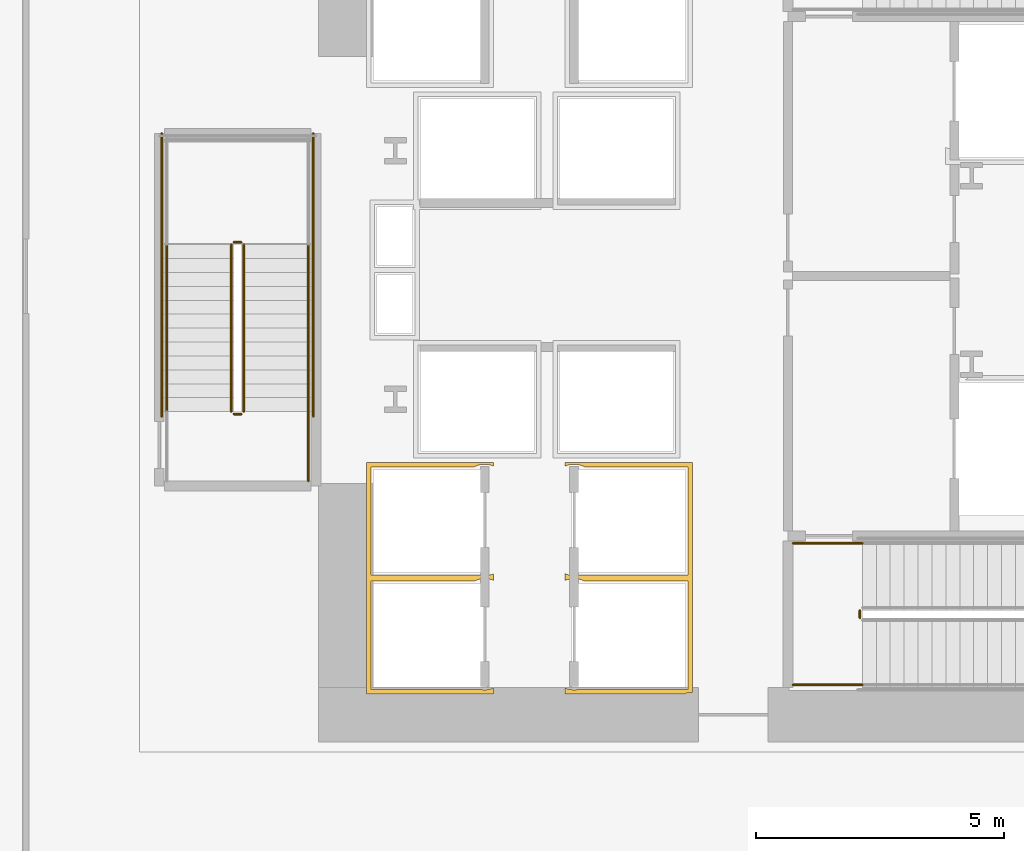
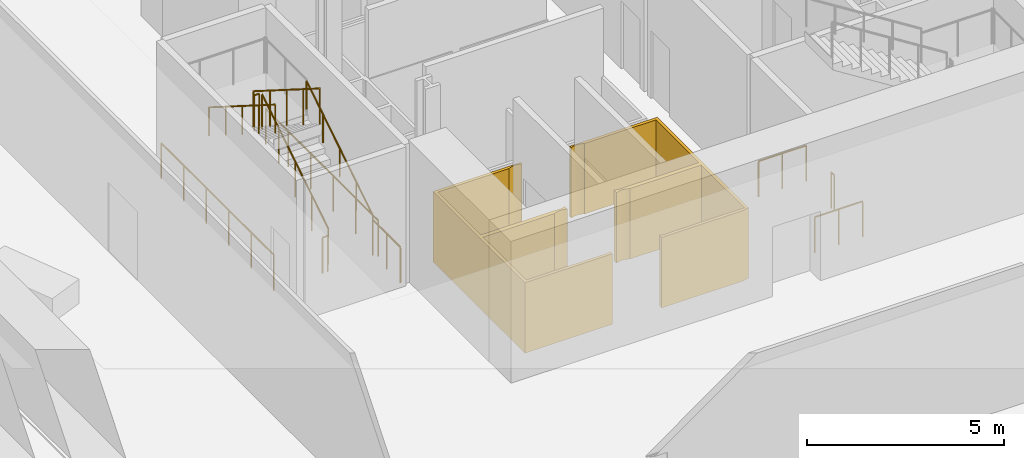
# One storey, part 17 of 24: 12 railings, 2 coverings.
"""IFC4 building model written with IfcOpenShell, lengths in metres."""

from ifc_helpers import new_model, si_unit, direction, frame, origin, origin_2d, place, context, subcontext, project, spatial, polyline, circle, outline, extrude, material, layer, layer_set, type_object, element, save


model = new_model("IFC4")

# Units and contexts
model_context = context("Model", 3, precision=1e-05, world=origin(), true_north=direction((0.0, 1.0)))
body_context = subcontext(model_context, "Body", "Model", "MODEL_VIEW")
ifc_project = project(units=[si_unit("LENGTHUNIT", "METRE"), si_unit("AREAUNIT", "SQUARE_METRE"), si_unit("VOLUMEUNIT", "CUBIC_METRE"), si_unit("PLANEANGLEUNIT", "RADIAN"), si_unit("MASSUNIT", "GRAM", prefix="KILO")], contexts=[model_context])

# Site, building, storey
site_placement = place(None, origin())
site = spatial("IfcSite", under=ifc_project, at=site_placement, CompositionType="ELEMENT")
building_placement = place(site_placement, origin())
building = spatial("IfcBuilding", under=site, at=building_placement, Name="Valkerne Bourse Tower", CompositionType="ELEMENT")
storey_placement = place(building_placement, frame((0.0, 0.0, 19.39990234375)))
storey = spatial("IfcBuildingStorey", under=building, at=storey_placement, Name="L04", CompositionType="ELEMENT", Elevation=19.39990234375)

# Coverings
ifc_material_1 = material(Name="Gypsum Shaftwall Liner Board", Category="gypsum")
ifc_layer = layer(ifc_material_1, 0.080078125)
ifc_layer_set = layer_set([ifc_layer], Name="Gypsum Shaftwall Liner Board")
covering_type = type_object("IfcCoveringType", Name="COV-SHF-CLAD", PredefinedType="CLADDING", material=ifc_layer_set)
covering_1_placement = place(storey_placement, origin())
element("IfcCovering", 1, at=covering_1_placement, inside=storey, type_object=covering_type, Name="L04 Hoistway & Riser Shaftwall Liner 01", PredefinedType="CLADDING", context=body_context, shape_type="SweptSolid", body=[
    extrude(outline(polyline([(38.169921875, 23.1298828125), (40.72998046875, 23.1298828125), (40.72998046875, 23.052001953125), (40.72216796875, 23.0556640625), (40.6806640625, 23.070556640625), (40.6376953125, 23.081298828125), (40.593994140625, 23.087890625), (40.550048828125, 23.090087890625), (40.505859375, 23.087890625), (40.462158203125, 23.081298828125), (40.41943359375, 23.070556640625), (40.377685546875, 23.0556640625), (40.344482421875, 23.0400390625), (38.260009765625, 23.0400390625), (38.260009765625, 20.860107421875), (40.456787109375, 20.860107421875), (40.462158203125, 20.858642578125), (40.505859375, 20.852294921875), (40.550048828125, 20.85009765625), (40.593994140625, 20.852294921875), (40.6376953125, 20.858642578125), (40.6806640625, 20.869384765625), (40.72216796875, 20.88427734375), (40.72998046875, 20.887939453125), (40.72998046875, 20.830078125), (40.72998046875, 20.77001953125), (40.72998046875, 20.752197265625), (40.72216796875, 20.755615234375), (40.6806640625, 20.7705078125), (40.6376953125, 20.781494140625), (40.593994140625, 20.787841796875), (40.550048828125, 20.7900390625), (40.505859375, 20.787841796875), (40.462158203125, 20.781494140625), (40.41943359375, 20.7705078125), (40.377685546875, 20.755615234375), (40.344482421875, 20.739990234375), (38.260009765625, 20.739990234375), (38.260009765625, 18.56005859375), (40.456787109375, 18.56005859375), (40.462158203125, 18.55859375), (40.505859375, 18.55224609375), (40.550048828125, 18.550048828125), (40.593994140625, 18.55224609375), (40.6376953125, 18.55859375), (40.6806640625, 18.5693359375), (40.72216796875, 18.584228515625), (40.72998046875, 18.587890625), (40.72998046875, 18.469970703125), (38.169921875, 18.469970703125), (38.169921875, 20.77001953125), (38.169921875, 20.830078125), (38.169921875, 23.1298828125)])), origin(), (0.0, 0.0, 1.0), 2.18017578125),
])
covering_2_placement = place(storey_placement, origin())
element("IfcCovering", 2, at=covering_2_placement, inside=storey, type_object=covering_type, Name="L04 Hoistway & Riser Shaftwall Liner 06", PredefinedType="CLADDING", context=body_context, shape_type="SweptSolid", body=[
    extrude(outline(polyline([(42.169921875, 20.887939453125), (42.177734375, 20.88427734375), (42.219482421875, 20.869384765625), (42.26220703125, 20.858642578125), (42.305908203125, 20.852294921875), (42.35009765625, 20.85009765625), (42.39404296875, 20.852294921875), (42.437744140625, 20.858642578125), (42.443115234375, 20.860107421875), (44.639892578125, 20.860107421875), (44.639892578125, 23.0400390625), (42.555419921875, 23.0400390625), (42.522216796875, 23.0556640625), (42.480712890625, 23.070556640625), (42.437744140625, 23.081298828125), (42.39404296875, 23.087890625), (42.35009765625, 23.090087890625), (42.305908203125, 23.087890625), (42.26220703125, 23.081298828125), (42.219482421875, 23.070556640625), (42.177734375, 23.0556640625), (42.169921875, 23.052001953125), (42.169921875, 23.1298828125), (44.72998046875, 23.1298828125), (44.72998046875, 20.830078125), (44.72998046875, 20.77001953125), (44.72998046875, 18.5), (44.685791015625, 18.497802734375), (44.64208984375, 18.491455078125), (44.599365234375, 18.480712890625), (44.569580078125, 18.469970703125), (42.169921875, 18.469970703125), (42.169921875, 18.587890625), (42.177734375, 18.584228515625), (42.219482421875, 18.5693359375), (42.26220703125, 18.55859375), (42.305908203125, 18.55224609375), (42.35009765625, 18.550048828125), (42.39404296875, 18.55224609375), (42.437744140625, 18.55859375), (42.443115234375, 18.56005859375), (44.639892578125, 18.56005859375), (44.639892578125, 20.739990234375), (42.555419921875, 20.739990234375), (42.522216796875, 20.755615234375), (42.480712890625, 20.7705078125), (42.437744140625, 20.781494140625), (42.39404296875, 20.787841796875), (42.35009765625, 20.7900390625), (42.305908203125, 20.787841796875), (42.26220703125, 20.781494140625), (42.219482421875, 20.7705078125), (42.177734375, 20.755615234375), (42.169921875, 20.752197265625), (42.169921875, 20.77001953125), (42.169921875, 20.830078125), (42.169921875, 20.887939453125)])), origin(), (0.0, 0.0, 1.0), 2.18017578125),
])

# Railings
ifc_material_2 = material(Name="Galvanised Painted Steel", Category="steel")
railing_type_1 = type_object("IfcRailingType", Name="RLG-ST-GUARD-1120", PredefinedType="GUARDRAIL", material=ifc_material_2)
railing_1_placement = place(storey_placement, frame((48.10009765625, 20.0, 0.0)))
element("IfcRailing", 3, at=railing_1_placement, inside=storey, type_object=railing_type_1, Name="L04 ST-1 stair guard 7", PredefinedType="GUARDRAIL", context=body_context, shape_type="SweptSolid", body=[
    extrude(circle(Radius=0.02392578125, at=origin_2d()), frame((0.0, 0.0, 1.09619140625), z_axis=(0.0, 1.0, 0.0), x_axis=(-1.0, 0.0, 0.0)), (0.0, 0.0, 1.0), 0.14990234375),
    extrude(circle(Radius=0.02099609375, at=origin_2d()), origin(), (0.0, 0.0, 1.0), 1.072021484375),
    extrude(circle(Radius=0.02099609375, at=origin_2d()), frame((0.0, 0.14990234375, 0.0)), (0.0, 0.0, 1.0), 1.072021484375),
])
for number, where, name in (
    (4, (46.75, 18.64990234375, 0.0), "L04 ST-1 stair guard 8"),
    (5, (46.75, 21.5, 0.0), "L04 ST-1 stair guard 9"),
):
    element("IfcRailing", number, at=place(storey_placement, frame(where)), inside=storey, type_object=railing_type_1, Name=name, PredefinedType="GUARDRAIL", context=body_context, shape_type="SweptSolid", body=[
        extrude(circle(Radius=0.02392578125, at=origin_2d()), frame((0.0, 0.0, 1.09619140625), z_axis=(1.0, 0.0, 0.0), x_axis=(0.0, 1.0, 0.0)), (0.0, 0.0, 1.0), 1.39990234375),
        extrude(circle(Radius=0.02099609375, at=origin_2d()), origin(), (0.0, 0.0, 1.0), 1.072021484375),
        extrude(circle(Radius=0.02099609375, at=origin_2d()), frame((0.699951171875, 0.0, 0.0)), (0.0, 0.0, 1.0), 1.072021484375),
        extrude(circle(Radius=0.02099609375, at=origin_2d()), frame((1.39990234375, 0.0, 0.0)), (0.0, 0.0, 1.0), 1.072021484375),
    ])
railing_2_placement = place(storey_placement, frame((35.699951171875, 24.14990234375, 0.177001953125)))
element("IfcRailing", 6, at=railing_2_placement, inside=storey, type_object=railing_type_1, Name="L04 ST-3 stair guard 1", PredefinedType="GUARDRAIL", context=body_context, shape_type="SweptSolid", body=[
    extrude(circle(Radius=0.02392578125, at=origin_2d()), frame((0.0, 0.0, 1.09619140625), z_axis=(0.0, 0.845389635667, 0.534150132366), x_axis=(-1.0, 0.0, 0.0)), (0.0, 0.0, 1.0), 3.974609375),
    extrude(circle(Radius=0.02099609375, at=origin_2d()), origin(), (0.0, 0.0, 1.0), 1.072021484375),
    extrude(circle(Radius=0.02099609375, at=origin_2d()), frame((0.0, 0.840087890625, 0.53076171875)), (0.0, 0.0, 1.0), 1.072021484375),
    extrude(circle(Radius=0.02099609375, at=origin_2d()), frame((0.0, 1.68017578125, 1.0615234375)), (0.0, 0.0, 1.0), 1.072021484375),
    extrude(circle(Radius=0.02099609375, at=origin_2d()), frame((0.0, 2.52001953125, 1.59228515625)), (0.0, 0.0, 1.0), 1.072021484375),
    extrude(circle(Radius=0.02099609375, at=origin_2d()), frame((0.0, 3.360107421875, 2.123046875)), (0.0, 0.0, 1.0), 1.072021484375),
])
railing_3_placement = place(storey_placement, frame((35.64990234375, 27.56005859375, 2.300048828125)))
element("IfcRailing", 7, at=railing_3_placement, inside=storey, type_object=railing_type_1, Name="L04 ST-3 stair guard 2", PredefinedType="GUARDRAIL", context=body_context, shape_type="SweptSolid", body=[
    extrude(circle(Radius=0.02392578125, at=origin_2d()), frame((0.0, 0.0, 1.09619140625), z_axis=(-1.0, 0.0, 0.0), x_axis=(0.0, -1.0, 0.0)), (0.0, 0.0, 1.0), 0.14990234375),
    extrude(circle(Radius=0.02099609375, at=origin_2d()), origin(), (0.0, 0.0, 1.0), 1.072021484375),
    extrude(circle(Radius=0.02099609375, at=origin_2d()), frame((-0.14990234375, 0.0, 0.0)), (0.0, 0.0, 1.0), 1.072021484375),
])
railing_4_placement = place(storey_placement, frame((35.449951171875, 27.510009765625, 2.47705078125)))
element("IfcRailing", 8, at=railing_4_placement, inside=storey, type_object=railing_type_1, Name="L04 ST-3 stair guard 6", PredefinedType="GUARDRAIL", context=body_context, shape_type="SweptSolid", body=[
    extrude(circle(Radius=0.02392578125, at=origin_2d()), frame((0.0, 0.0, 1.09619140625), z_axis=(0.0, -0.845389635667, 0.534150132366), x_axis=(1.0, 0.0, 0.0)), (0.0, 0.0, 1.0), 3.974609375),
    extrude(circle(Radius=0.02099609375, at=origin_2d()), origin(), (0.0, 0.0, 1.0), 1.072021484375),
    extrude(circle(Radius=0.02099609375, at=origin_2d()), frame((0.0, -0.840087890625, 0.53076171875)), (0.0, 0.0, 1.0), 1.072021484375),
    extrude(circle(Radius=0.02099609375, at=origin_2d()), frame((0.0, -1.68017578125, 1.0615234375)), (0.0, 0.0, 1.0), 1.072021484375),
    extrude(circle(Radius=0.02099609375, at=origin_2d()), frame((0.0, -2.52001953125, 1.59228515625)), (0.0, 0.0, 1.0), 1.072021484375),
    extrude(circle(Radius=0.02099609375, at=origin_2d()), frame((0.0, -3.360107421875, 2.123046875)), (0.0, 0.0, 1.0), 1.072021484375),
])
railing_5_placement = place(storey_placement, frame((35.64990234375, 24.10009765625, 0.0)))
element("IfcRailing", 9, at=railing_5_placement, inside=storey, type_object=railing_type_1, Name="L04 ST-3 stair guard 7", PredefinedType="GUARDRAIL", context=body_context, shape_type="SweptSolid", body=[
    extrude(circle(Radius=0.02392578125, at=origin_2d()), frame((0.0, 0.0, 1.09619140625), z_axis=(-1.0, 0.0, 0.0), x_axis=(0.0, -1.0, 0.0)), (0.0, 0.0, 1.0), 0.14990234375),
    extrude(circle(Radius=0.02099609375, at=origin_2d()), origin(), (0.0, 0.0, 1.0), 1.072021484375),
    extrude(circle(Radius=0.02099609375, at=origin_2d()), frame((-0.14990234375, 0.0, 0.0)), (0.0, 0.0, 1.0), 1.072021484375),
])
railing_6_placement = place(storey_placement, frame((37.0, 22.75, 0.0)))
element("IfcRailing", 10, at=railing_6_placement, inside=storey, type_object=railing_type_1, Name="L04 ST-3 stair guard 8", PredefinedType="GUARDRAIL", context=body_context, shape_type="SweptSolid", body=[
    extrude(circle(Radius=0.02392578125, at=origin_2d()), frame((0.0, 0.0, 1.09619140625), z_axis=(0.0, 1.0, 0.0), x_axis=(-1.0, 0.0, 0.0)), (0.0, 0.0, 1.0), 1.39990234375),
    extrude(circle(Radius=0.02099609375, at=origin_2d()), origin(), (0.0, 0.0, 1.0), 1.072021484375),
    extrude(circle(Radius=0.02099609375, at=origin_2d()), frame((0.0, 0.699951171875, 0.0)), (0.0, 0.0, 1.0), 1.072021484375),
    extrude(circle(Radius=0.02099609375, at=origin_2d()), frame((0.0, 1.39990234375, 0.0)), (0.0, 0.0, 1.0), 1.072021484375),
])
for number, where, name in (
    (11, (37.10009765625, 24.050048828125, 0.0), "L04 ST-3 stair guard 10"),
    (12, (34.050048828125, 24.050048828125, 0.0), "L04 ST-3 stair guard 11"),
):
    element("IfcRailing", number, at=place(storey_placement, frame(where)), inside=storey, type_object=railing_type_1, Name=name, PredefinedType="GUARDRAIL", context=body_context, shape_type="SweptSolid", body=[
        extrude(circle(Radius=0.02392578125, at=origin_2d()), frame((0.0, 0.0, 1.09619140625), z_axis=(0.0, 1.0, 0.0), x_axis=(-1.0, 0.0, 0.0)), (0.0, 0.0, 1.0), 5.699951171875),
        extrude(circle(Radius=0.02099609375, at=origin_2d()), origin(), (0.0, 0.0, 1.0), 1.072021484375),
        extrude(circle(Radius=0.02099609375, at=origin_2d()), frame((0.0, 1.139892578125, 0.0)), (0.0, 0.0, 1.0), 1.072021484375),
        extrude(circle(Radius=0.02099609375, at=origin_2d()), frame((0.0, 2.280029296875, 0.0)), (0.0, 0.0, 1.0), 1.072021484375),
        extrude(circle(Radius=0.02099609375, at=origin_2d()), frame((0.0, 3.419921875, 0.0)), (0.0, 0.0, 1.0), 1.072021484375),
        extrude(circle(Radius=0.02099609375, at=origin_2d()), frame((0.0, 4.56005859375, 0.0)), (0.0, 0.0, 1.0), 1.072021484375),
        extrude(circle(Radius=0.02099609375, at=origin_2d()), frame((0.0, 5.699951171875, 0.0)), (0.0, 0.0, 1.0), 1.072021484375),
    ])
ifc_material_3 = material(Name="Stainless Steel AISI 316", Category="steel")
railing_type_2 = type_object("IfcRailingType", Name="RLG-ST-HANDRAIL-900", PredefinedType="HANDRAIL", material=ifc_material_3)
railing_7_placement = place(storey_placement, frame((37.0, 24.14990234375, 0.35400390625)))
element("IfcRailing", 13, at=railing_7_placement, inside=storey, type_object=railing_type_2, Name="L04 ST-3 stair handrail 1", PredefinedType="HANDRAIL", context=body_context, shape_type="SweptSolid", body=[
    extrude(circle(Radius=0.02392578125, at=origin_2d()), frame((0.0, 0.0, 0.8759765625), z_axis=(0.0, 0.845389635667, 0.534150132366), x_axis=(-1.0, 0.0, 0.0)), (0.0, 0.0, 1.0), 3.974609375),
    extrude(circle(Radius=0.02099609375, at=origin_2d()), origin(), (0.0, 0.0, 1.0), 0.851806640625),
    extrude(circle(Radius=0.02099609375, at=origin_2d()), frame((0.0, 0.840087890625, 0.53076171875)), (0.0, 0.0, 1.0), 0.851806640625),
    extrude(circle(Radius=0.02099609375, at=origin_2d()), frame((0.0, 1.68017578125, 1.0615234375)), (0.0, 0.0, 1.0), 0.851806640625),
    extrude(circle(Radius=0.02099609375, at=origin_2d()), frame((0.0, 2.52001953125, 1.59228515625)), (0.0, 0.0, 1.0), 0.851806640625),
    extrude(circle(Radius=0.02099609375, at=origin_2d()), frame((0.0, 3.360107421875, 2.123046875)), (0.0, 0.0, 1.0), 0.851806640625),
])
railing_8_placement = place(storey_placement, frame((34.14990234375, 27.510009765625, 2.654052734375)))
element("IfcRailing", 14, at=railing_8_placement, inside=storey, type_object=railing_type_2, Name="L04 ST-3 stair handrail 2", PredefinedType="HANDRAIL", context=body_context, shape_type="SweptSolid", body=[
    extrude(circle(Radius=0.02392578125, at=origin_2d()), frame((0.0, 0.0, 0.8759765625), z_axis=(0.0, -0.845389635667, 0.534150132366), x_axis=(1.0, 0.0, 0.0)), (0.0, 0.0, 1.0), 3.974609375),
    extrude(circle(Radius=0.02099609375, at=origin_2d()), origin(), (0.0, 0.0, 1.0), 0.851806640625),
    extrude(circle(Radius=0.02099609375, at=origin_2d()), frame((0.0, -0.840087890625, 0.53076171875)), (0.0, 0.0, 1.0), 0.851806640625),
    extrude(circle(Radius=0.02099609375, at=origin_2d()), frame((0.0, -1.68017578125, 1.0615234375)), (0.0, 0.0, 1.0), 0.851806640625),
    extrude(circle(Radius=0.02099609375, at=origin_2d()), frame((0.0, -2.52001953125, 1.59228515625)), (0.0, 0.0, 1.0), 0.851806640625),
    extrude(circle(Radius=0.02099609375, at=origin_2d()), frame((0.0, -3.360107421875, 2.123046875)), (0.0, 0.0, 1.0), 0.851806640625),
])

save(model, "model.ifc")
